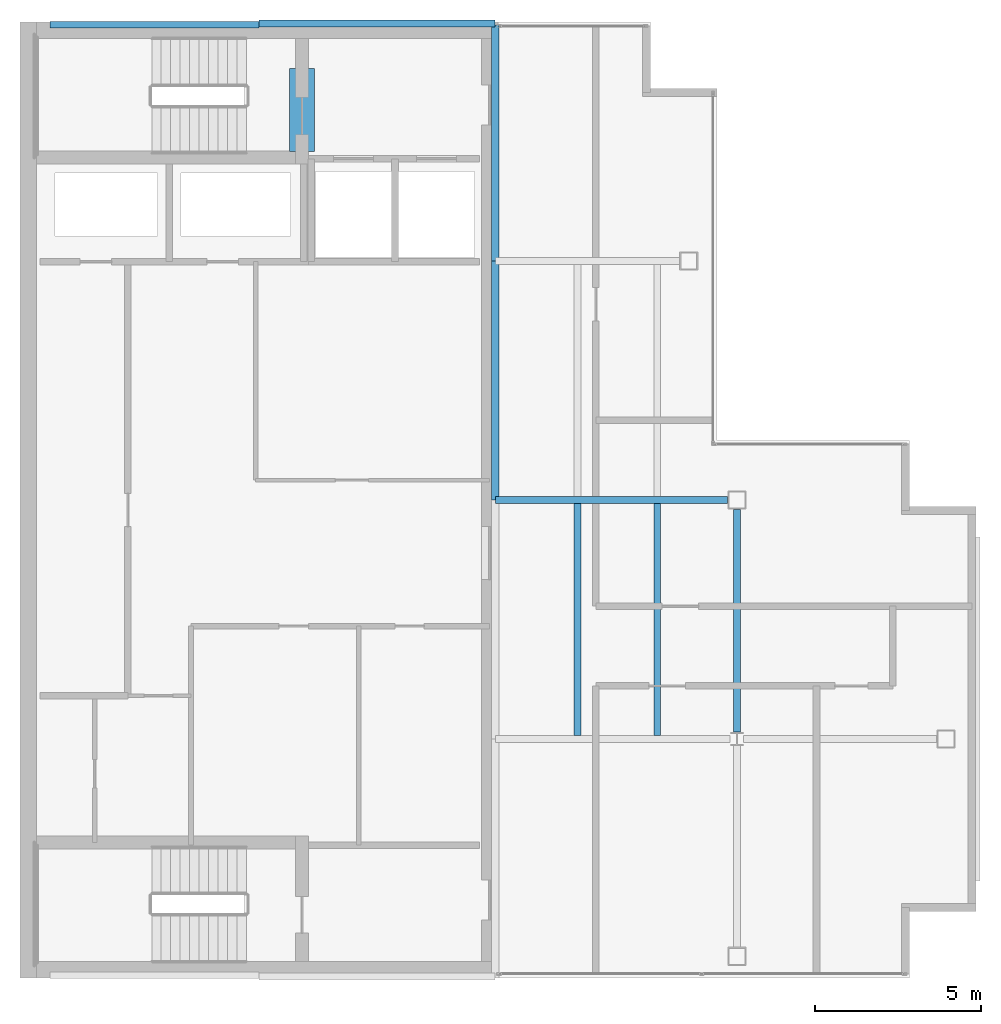
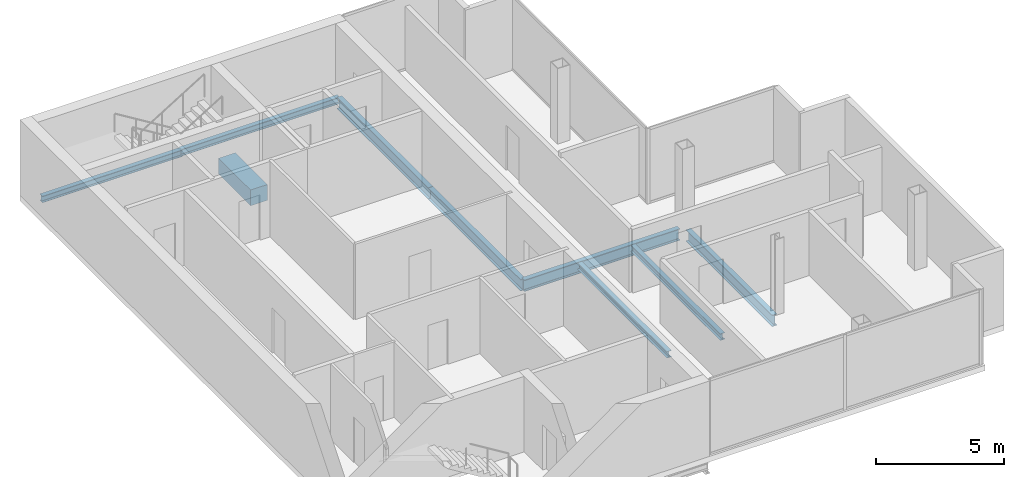
# One storey, part 7 of 15: 9 beams.
"""IFC4 building model written with IfcOpenShell, lengths in metres."""

from ifc_helpers import new_model, si_unit, direction, frame, origin, origin_2d, place, context, subcontext, project, spatial, rectangle, i_section, extrude, material, material_profile, profile_set, type_object, element, save


model = new_model("IFC4")

# Units and contexts
model_context = context("Model", 3, precision=1e-05, world=origin(), true_north=direction((0.0, 1.0)))
body_context = subcontext(model_context, "Body", "Model", "MODEL_VIEW")
ifc_project = project(units=[si_unit("LENGTHUNIT", "METRE"), si_unit("AREAUNIT", "SQUARE_METRE"), si_unit("VOLUMEUNIT", "CUBIC_METRE"), si_unit("PLANEANGLEUNIT", "RADIAN"), si_unit("MASSUNIT", "GRAM", prefix="KILO")], contexts=[model_context])

# Site, building, storey
site_placement = place(None, origin())
site = spatial("IfcSite", under=ifc_project, at=site_placement, CompositionType="ELEMENT")
building_placement = place(site_placement, origin())
building = spatial("IfcBuilding", under=site, at=building_placement, Name="Cobrela Telecom Tower", CompositionType="ELEMENT")
storey_placement = place(building_placement, frame((0.0, 0.0, 297.5)))
storey = spatial("IfcBuildingStorey", under=building, at=storey_placement, Name="L78", CompositionType="ELEMENT", Elevation=297.5)

# Beams
ifc_material_1 = material(Name="Concrete C40/50", Category="concrete")
ifc_material_profile_1 = material_profile(ifc_material_1, rectangle(XDim=0.75, YDim=0.75, at=origin_2d()), Name="RC 750x750")
ifc_profile_set_1 = profile_set([ifc_material_profile_1], Name="Concrete C40/50")
beam_type_1 = type_object("IfcBeamType", Name="BM-COUP-RC", PredefinedType="LINTEL", material=ifc_profile_set_1)
beam_1_placement = place(storey_placement, frame((8.5, 32.10009765625, -0.610107421875), z_axis=(0.0, 1.0, 0.0), x_axis=(-1.0, 0.0, 0.0)))
element("IfcBeam", 1, at=beam_1_placement, inside=storey, type_object=beam_type_1, Name="L78 Core Coupling Lintel Beam", PredefinedType="LINTEL", context=body_context, shape_type="SweptSolid", body=[
    extrude(rectangle(XDim=0.75, YDim=0.75, at=origin_2d()), origin(), (0.0, 0.0, 1.0), 2.5),
])
ifc_material_2 = material(Name="Steel ASTM A992 Grade 50", Category="steel")
ifc_material_profile_2 = material_profile(ifc_material_2, i_section(OverallWidth=0.212890625, OverallDepth=0.549072265625, WebThickness=0.0146484375, FlangeThickness=0.023681640625, FilletRadius=0.013916015625, at=origin_2d()), Name="W21X93")
ifc_profile_set_2 = profile_set([ifc_material_profile_2], Name="Steel ASTM A992 Grade 50")
beam_type_2 = type_object("IfcBeamType", Name="BM-GIRD-08", PredefinedType="USERDEFINED", material=ifc_profile_set_2)
beam_2_placement = place(storey_placement, frame((14.324951171875, 21.60009765625, -0.534423828125), z_axis=(1.0, 0.0, 0.0), x_axis=(0.0, 1.0, 0.0)))
element("IfcBeam", 2, at=beam_2_placement, inside=storey, type_object=beam_type_2, Name="L78 Primary Girder X05", ObjectType="GIRDER", PredefinedType="USERDEFINED", context=body_context, shape_type="SweptSolid", body=[
    extrude(i_section(OverallWidth=0.212890625, OverallDepth=0.549072265625, WebThickness=0.0146484375, FlangeThickness=0.023681640625, FilletRadius=0.013916015625, at=origin_2d()), origin(), (0.0, 0.0, 1.0), 6.9951171875),
])
beam_3_placement = place(storey_placement, frame((14.320068359375, 21.60498046875, -0.534423828125), z_axis=(0.0, 1.0, 0.0), x_axis=(-1.0, 0.0, 0.0)))
element("IfcBeam", 3, at=beam_3_placement, inside=storey, type_object=beam_type_2, Name="L78 Primary Girder Y11", ObjectType="GIRDER", PredefinedType="USERDEFINED", context=body_context, shape_type="SweptSolid", body=[
    extrude(i_section(OverallWidth=0.212890625, OverallDepth=0.549072265625, WebThickness=0.0146484375, FlangeThickness=0.023681640625, FilletRadius=0.013916015625, at=origin_2d()), origin(), (0.0, 0.0, 1.0), 7.18994140625),
])
beam_4_placement = place(storey_placement, frame((14.320068359375, 28.804931640625, -0.534423828125), z_axis=(0.0, 1.0, 0.0), x_axis=(-1.0, 0.0, 0.0)))
element("IfcBeam", 4, at=beam_4_placement, inside=storey, type_object=beam_type_2, Name="L78 Primary Girder Y12", ObjectType="GIRDER", PredefinedType="USERDEFINED", context=body_context, shape_type="SweptSolid", body=[
    extrude(i_section(OverallWidth=0.212890625, OverallDepth=0.549072265625, WebThickness=0.0146484375, FlangeThickness=0.023681640625, FilletRadius=0.013916015625, at=origin_2d()), origin(), (0.0, 0.0, 1.0), 7.110107421875),
])
beam_5_placement = place(storey_placement, frame((21.60009765625, 14.6044921875, -0.534423828125), z_axis=(0.0, 1.0, 0.0), x_axis=(-1.0, 0.0, 0.0)))
element("IfcBeam", 5, at=beam_5_placement, inside=storey, type_object=beam_type_2, Name="L78 Primary Girder Y14", ObjectType="GIRDER", PredefinedType="USERDEFINED", context=body_context, shape_type="SweptSolid", body=[
    extrude(i_section(OverallWidth=0.212890625, OverallDepth=0.549072265625, WebThickness=0.0146484375, FlangeThickness=0.023681640625, FilletRadius=0.013916015625, at=origin_2d()), origin(), (0.0, 0.0, 1.0), 6.715576171875),
])
ifc_material_profile_3 = material_profile(ifc_material_2, i_section(OverallWidth=0.205078125, OverallDepth=0.31005859375, WebThickness=0.009521484375, FlangeThickness=0.016357421875, FilletRadius=0.010986328125, at=origin_2d()), Name="W12X50")
ifc_profile_set_3 = profile_set([ifc_material_profile_3], Name="Steel ASTM A992 Grade 50")
beam_type_3 = type_object("IfcBeamType", Name="BM-JOIST-05", PredefinedType="JOIST", material=ifc_profile_set_3)
for number, where, z_axis, x_axis, name in (
    (6, (16.800048828125, 14.511474609375, -0.4150390625), (0.0, 1.0, 0.0), (-1.0, 0.0, 0.0), "L78 Secondary Composite Floor Beam J01"),
    (7, (19.199951171875, 14.511474609375, -0.4150390625), (0.0, 1.0, 0.0), (-1.0, 0.0, 0.0), "L78 Secondary Composite Floor Beam J03"),
):
    element("IfcBeam", number, at=place(storey_placement, frame(where, z_axis=z_axis, x_axis=x_axis)), inside=storey, type_object=beam_type_3, Name=name, PredefinedType="JOIST", context=body_context, shape_type="SweptSolid", body=[
        extrude(i_section(OverallWidth=0.205078125, OverallDepth=0.31005859375, WebThickness=0.009521484375, FlangeThickness=0.016357421875, FilletRadius=0.010986328125, at=origin_2d()), origin(), (0.0, 0.0, 1.0), 6.97705078125),
    ])
ifc_material_profile_4 = material_profile(ifc_material_2, i_section(OverallWidth=0.205078125, OverallDepth=0.31005859375, WebThickness=0.009521484375, FlangeThickness=0.016357421875, FilletRadius=0.010986328125, at=origin_2d()), Name="W12X50")
ifc_profile_set_4 = profile_set([ifc_material_profile_4], Name="Steel ASTM A992 Grade 50")
beam_type_4 = type_object("IfcBeamType", Name="BM-SPAND-07", PredefinedType="SPANDREL", material=ifc_profile_set_4)
beam_6_placement = place(storey_placement, frame((0.905029296875, 35.919921875, -0.4150390625), z_axis=(1.0, 0.0, 0.0), x_axis=(0.0, 1.0, 0.0)))
element("IfcBeam", 8, at=beam_6_placement, inside=storey, type_object=beam_type_4, Name="L78 Perimeter Spandrel X07", PredefinedType="SPANDREL", context=body_context, shape_type="SweptSolid", body=[
    extrude(i_section(OverallWidth=0.205078125, OverallDepth=0.31005859375, WebThickness=0.009521484375, FlangeThickness=0.016357421875, FilletRadius=0.010986328125, at=origin_2d()), origin(), (0.0, 0.0, 1.0), 6.2900390625),
])
beam_7_placement = place(storey_placement, frame((7.205078125, 35.9599609375, -0.4150390625), z_axis=(1.0, 0.0, 0.0), x_axis=(0.0, 1.0, 0.0)))
element("IfcBeam", 9, at=beam_7_placement, inside=storey, type_object=beam_type_4, Name="L78 Perimeter Spandrel X08", PredefinedType="SPANDREL", context=body_context, shape_type="SweptSolid", body=[
    extrude(i_section(OverallWidth=0.205078125, OverallDepth=0.31005859375, WebThickness=0.009521484375, FlangeThickness=0.016357421875, FilletRadius=0.010986328125, at=origin_2d()), origin(), (0.0, 0.0, 1.0), 7.10986328125),
])

save(model, "model.ifc")
